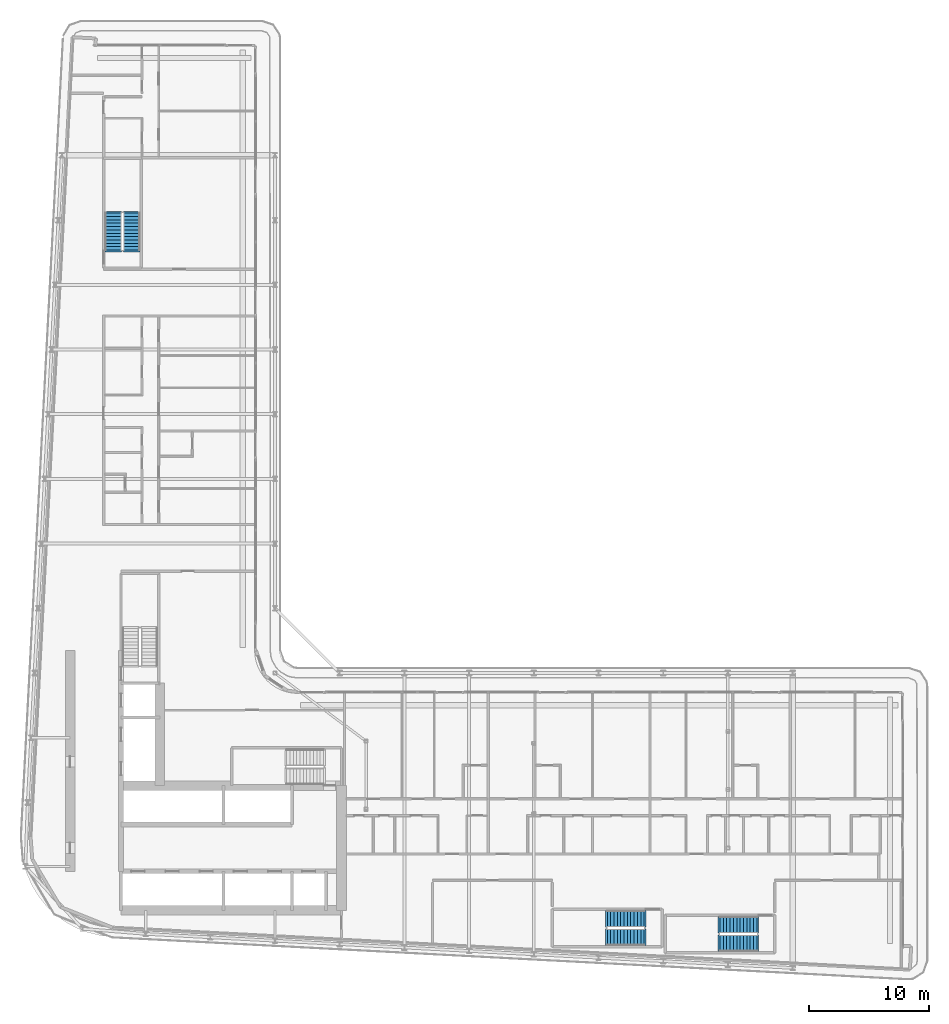
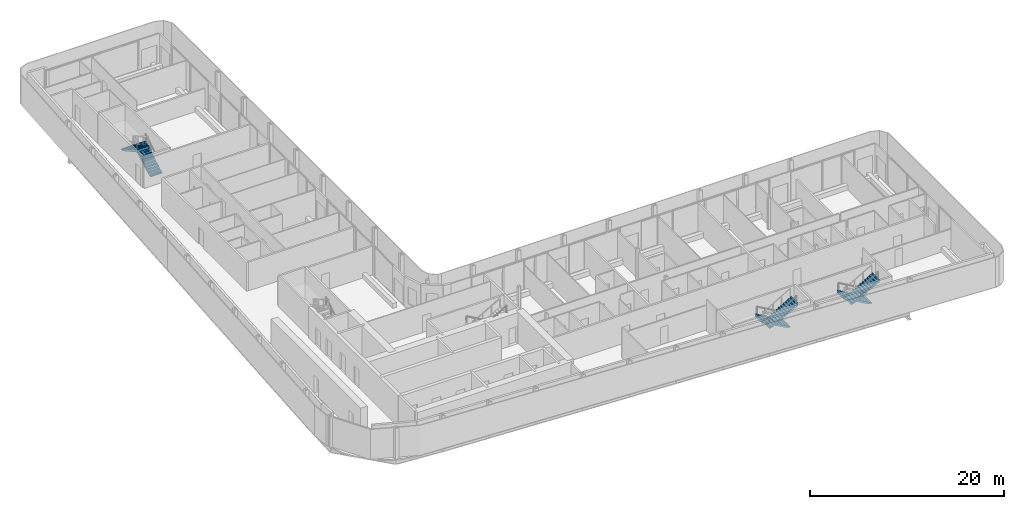
# One storey, part 21 of 28: 6 stair flights, 3 elements without a shape of their own.
"""IFC4 building model written with IfcOpenShell, lengths in metres."""

from ifc_helpers import new_model, si_unit, direction, frame, origin, place, context, subcontext, project, spatial, polyline, outline, extrude, material, layer, layer_set, type_object, element, aggregate, save


model = new_model("IFC4")

# Units and contexts
model_context = context("Model", 3, precision=1e-05, world=origin(), true_north=direction((0.0, 1.0)))
body_context = subcontext(model_context, "Body", "Model", "MODEL_VIEW")
ifc_project = project(units=[si_unit("LENGTHUNIT", "METRE"), si_unit("AREAUNIT", "SQUARE_METRE"), si_unit("VOLUMEUNIT", "CUBIC_METRE"), si_unit("PLANEANGLEUNIT", "RADIAN"), si_unit("MASSUNIT", "GRAM", prefix="KILO")], contexts=[model_context])

# Site, building, storey
site_placement = place(None, origin())
site = spatial("IfcSite", under=ifc_project, at=site_placement, CompositionType="ELEMENT")
building_placement = place(site_placement, origin())
building = spatial("IfcBuilding", under=site, at=building_placement, Name="Kheshtan School and Residences Tower", CompositionType="ELEMENT")
storey_placement = place(building_placement, frame((0.0, 0.0, 191.60009765625)))
storey = spatial("IfcBuildingStorey", under=building, at=storey_placement, Name="L45", CompositionType="ELEMENT", Elevation=191.60009765625)

# Stair, stair flights
ifc_material = material(Name="Concrete C40/50", Category="concrete")
stair_type = type_object("IfcStairType", Name="Exit stair, half-turn", PredefinedType="HALF_TURN_STAIR", material=ifc_material)
stair_1_placement = place(storey_placement, origin())
stair_1 = element("IfcStair", 1, at=stair_1_placement, inside=storey, type_object=stair_type, Name="L45 Protected Exit Stair ST3", PredefinedType="HALF_TURN_STAIR")
ifc_layer = layer(ifc_material, 0.14990234375)
ifc_layer_set = layer_set([ifc_layer], Name="Stair flight 1400 Concrete C40/50")
stair_flight_type = type_object("IfcStairFlightType", Name="Stair flight 1400 Concrete C40/50", PredefinedType="STRAIGHT", material=ifc_layer_set)
stair_flight_1_placement = place(storey_placement, frame((35.64990234375, 80.89990234375, 0.0), z_axis=(0.0, 0.0, 1.0), x_axis=(0.0, 1.0, 0.0)))
stair_flight_1 = element("IfcStairFlight", 2, at=stair_flight_1_placement, type_object=stair_flight_type, Name="ST3 flight 1", NumberOfRisers=12, NumberOfTreads=11, PredefinedType="STRAIGHT", RiserHeight=0.1625, TreadLength=0.28, context=body_context, shape_type="SweptSolid", body=[
    extrude(outline(polyline([(-0.14990234375, -0.10009765625), (-0.14990234375, 0.0), (0.0, 0.0), (0.0, 0.16259765625), (0.280029296875, 0.16259765625), (0.280029296875, 0.324951171875), (0.56005859375, 0.324951171875), (0.56005859375, 0.487548828125), (0.840087890625, 0.487548828125), (0.840087890625, 0.64990234375), (1.1201171875, 0.64990234375), (1.1201171875, 0.8125), (1.39990234375, 0.8125), (1.39990234375, 0.97509765625), (1.679931640625, 0.97509765625), (1.679931640625, 1.137451171875), (1.9599609375, 1.137451171875), (1.9599609375, 1.300048828125), (2.239990234375, 1.300048828125), (2.239990234375, 1.46240234375), (2.52001953125, 1.46240234375), (2.52001953125, 1.625), (2.800048828125, 1.625), (2.800048828125, 1.78759765625), (3.080078125, 1.78759765625), (3.080078125, 1.949951171875), (3.080078125, 1.969970703125), (3.22998046875, 1.969970703125), (3.22998046875, 1.6142578125), (0.298583984375, 0.0), (-0.14990234375, -0.10009765625)])), frame((0.0, 0.699951171875, 0.0), z_axis=(0.0, -1.0, 0.0), x_axis=(1.0, 0.0, 0.0)), (0.0, 0.0, 1.0), 1.39990234375),
])
stair_flight_2_placement = place(storey_placement, frame((34.10009765625, 83.97998046875, 1.949951171875), z_axis=(0.0, 0.0, 1.0), x_axis=(0.0, -1.0, 0.0)))
stair_flight_2 = element("IfcStairFlight", 3, at=stair_flight_2_placement, type_object=stair_flight_type, Name="ST3 flight 2", NumberOfRisers=12, NumberOfTreads=11, PredefinedType="STRAIGHT", RiserHeight=0.1625, TreadLength=0.28, context=body_context, shape_type="SweptSolid", body=[
    extrude(outline(polyline([(-0.14990234375, -0.10009765625), (-0.14990234375, 0.0), (0.0, 0.0), (0.0, 0.16259765625), (0.280029296875, 0.16259765625), (0.280029296875, 0.324951171875), (0.56005859375, 0.324951171875), (0.56005859375, 0.487548828125), (0.840087890625, 0.487548828125), (0.840087890625, 0.64990234375), (1.1201171875, 0.64990234375), (1.1201171875, 0.8125), (1.39990234375, 0.8125), (1.39990234375, 0.97509765625), (1.679931640625, 0.97509765625), (1.679931640625, 1.137451171875), (1.9599609375, 1.137451171875), (1.9599609375, 1.300048828125), (2.239990234375, 1.300048828125), (2.239990234375, 1.46240234375), (2.52001953125, 1.46240234375), (2.52001953125, 1.625), (2.800048828125, 1.625), (2.800048828125, 1.78759765625), (3.080078125, 1.78759765625), (3.080078125, 1.949951171875), (3.080078125, 1.969970703125), (3.22998046875, 1.969970703125), (3.22998046875, 1.6142578125), (0.298583984375, 0.0), (-0.14990234375, -0.10009765625)])), frame((0.0, 0.699951171875, 0.0), z_axis=(0.0, -1.0, 0.0), x_axis=(1.0, 0.0, 0.0)), (0.0, 0.0, 1.0), 1.39990234375),
])
aggregate(stair_1, [stair_flight_1, stair_flight_2])

stair_2_placement = place(storey_placement, origin())
stair_2 = element("IfcStair", 4, at=stair_2_placement, inside=storey, type_object=stair_type, Name="L45 Protected Exit Stair ST4", PredefinedType="HALF_TURN_STAIR")
stair_flight_3_placement = place(storey_placement, frame((87.820068359375, 24.60009765625, 0.0), z_axis=(0.0, 0.0, 1.0), x_axis=(-1.0, 0.0, 0.0)))
stair_flight_3 = element("IfcStairFlight", 5, at=stair_flight_3_placement, type_object=stair_flight_type, Name="ST4 flight 1", NumberOfRisers=12, NumberOfTreads=11, PredefinedType="STRAIGHT", RiserHeight=0.1625, TreadLength=0.28, context=body_context, shape_type="SweptSolid", body=[
    extrude(outline(polyline([(-0.14990234375, -0.10009765625), (-0.14990234375, 0.0), (0.0, 0.0), (0.0, 0.16259765625), (0.280029296875, 0.16259765625), (0.280029296875, 0.324951171875), (0.56005859375, 0.324951171875), (0.56005859375, 0.487548828125), (0.840087890625, 0.487548828125), (0.840087890625, 0.64990234375), (1.1201171875, 0.64990234375), (1.1201171875, 0.8125), (1.39990234375, 0.8125), (1.39990234375, 0.97509765625), (1.679931640625, 0.97509765625), (1.679931640625, 1.137451171875), (1.9599609375, 1.137451171875), (1.9599609375, 1.300048828125), (2.239990234375, 1.300048828125), (2.239990234375, 1.46240234375), (2.52001953125, 1.46240234375), (2.52001953125, 1.625), (2.800048828125, 1.625), (2.800048828125, 1.78759765625), (3.080078125, 1.78759765625), (3.080078125, 1.949951171875), (3.080078125, 1.969970703125), (3.22998046875, 1.969970703125), (3.22998046875, 1.6142578125), (0.298583984375, 0.0), (-0.14990234375, -0.10009765625)])), frame((0.0, 0.699951171875, 0.0), z_axis=(0.0, -1.0, 0.0), x_axis=(1.0, 0.0, 0.0)), (0.0, 0.0, 1.0), 1.39990234375),
])
stair_flight_4_placement = place(storey_placement, frame((84.739990234375, 23.050048828125, 1.949951171875), z_axis=(0.0, 0.0, 1.0), x_axis=(1.0, 0.0, 0.0)))
stair_flight_4 = element("IfcStairFlight", 6, at=stair_flight_4_placement, type_object=stair_flight_type, Name="ST4 flight 2", NumberOfRisers=12, NumberOfTreads=11, PredefinedType="STRAIGHT", RiserHeight=0.1625, TreadLength=0.28, context=body_context, shape_type="SweptSolid", body=[
    extrude(outline(polyline([(-0.14990234375, -0.10009765625), (-0.14990234375, 0.0), (0.0, 0.0), (0.0, 0.16259765625), (0.280029296875, 0.16259765625), (0.280029296875, 0.324951171875), (0.56005859375, 0.324951171875), (0.56005859375, 0.487548828125), (0.840087890625, 0.487548828125), (0.840087890625, 0.64990234375), (1.1201171875, 0.64990234375), (1.1201171875, 0.8125), (1.39990234375, 0.8125), (1.39990234375, 0.97509765625), (1.679931640625, 0.97509765625), (1.679931640625, 1.137451171875), (1.9599609375, 1.137451171875), (1.9599609375, 1.300048828125), (2.239990234375, 1.300048828125), (2.239990234375, 1.46240234375), (2.52001953125, 1.46240234375), (2.52001953125, 1.625), (2.800048828125, 1.625), (2.800048828125, 1.78759765625), (3.080078125, 1.78759765625), (3.080078125, 1.949951171875), (3.080078125, 1.969970703125), (3.22998046875, 1.969970703125), (3.22998046875, 1.6142578125), (0.298583984375, 0.0), (-0.14990234375, -0.10009765625)])), frame((0.0, 0.699951171875, 0.0), z_axis=(0.0, -1.0, 0.0), x_axis=(1.0, 0.0, 0.0)), (0.0, 0.0, 1.0), 1.39990234375),
])
aggregate(stair_2, [stair_flight_3, stair_flight_4])

stair_3_placement = place(storey_placement, origin())
stair_3 = element("IfcStair", 7, at=stair_3_placement, inside=storey, type_object=stair_type, Name="L45 Protected Exit Stair ST5", PredefinedType="HALF_TURN_STAIR")
stair_flight_5_placement = place(storey_placement, frame((78.409912109375, 25.10009765625, 0.0), z_axis=(0.0, 0.0, 1.0), x_axis=(-1.0, 0.0, 0.0)))
stair_flight_5 = element("IfcStairFlight", 8, at=stair_flight_5_placement, type_object=stair_flight_type, Name="ST5 flight 1", NumberOfRisers=12, NumberOfTreads=11, PredefinedType="STRAIGHT", RiserHeight=0.1625, TreadLength=0.28, context=body_context, shape_type="SweptSolid", body=[
    extrude(outline(polyline([(-0.14990234375, -0.10009765625), (-0.14990234375, 0.0), (0.0, 0.0), (0.0, 0.16259765625), (0.280029296875, 0.16259765625), (0.280029296875, 0.324951171875), (0.56005859375, 0.324951171875), (0.56005859375, 0.487548828125), (0.840087890625, 0.487548828125), (0.840087890625, 0.64990234375), (1.1201171875, 0.64990234375), (1.1201171875, 0.8125), (1.39990234375, 0.8125), (1.39990234375, 0.97509765625), (1.679931640625, 0.97509765625), (1.679931640625, 1.137451171875), (1.9599609375, 1.137451171875), (1.9599609375, 1.300048828125), (2.239990234375, 1.300048828125), (2.239990234375, 1.46240234375), (2.52001953125, 1.46240234375), (2.52001953125, 1.625), (2.800048828125, 1.625), (2.800048828125, 1.78759765625), (3.080078125, 1.78759765625), (3.080078125, 1.949951171875), (3.080078125, 1.969970703125), (3.22998046875, 1.969970703125), (3.22998046875, 1.6142578125), (0.298583984375, 0.0), (-0.14990234375, -0.10009765625)])), frame((0.0, 0.699951171875, 0.0), z_axis=(0.0, -1.0, 0.0), x_axis=(1.0, 0.0, 0.0)), (0.0, 0.0, 1.0), 1.39990234375),
])
stair_flight_6_placement = place(storey_placement, frame((75.330078125, 23.550048828125, 1.949951171875), z_axis=(0.0, 0.0, 1.0), x_axis=(1.0, 0.0, 0.0)))
stair_flight_6 = element("IfcStairFlight", 9, at=stair_flight_6_placement, type_object=stair_flight_type, Name="ST5 flight 2", NumberOfRisers=12, NumberOfTreads=11, PredefinedType="STRAIGHT", RiserHeight=0.1625, TreadLength=0.28, context=body_context, shape_type="SweptSolid", body=[
    extrude(outline(polyline([(-0.14990234375, -0.10009765625), (-0.14990234375, 0.0), (0.0, 0.0), (0.0, 0.16259765625), (0.280029296875, 0.16259765625), (0.280029296875, 0.324951171875), (0.56005859375, 0.324951171875), (0.56005859375, 0.487548828125), (0.840087890625, 0.487548828125), (0.840087890625, 0.64990234375), (1.1201171875, 0.64990234375), (1.1201171875, 0.8125), (1.39990234375, 0.8125), (1.39990234375, 0.97509765625), (1.679931640625, 0.97509765625), (1.679931640625, 1.137451171875), (1.9599609375, 1.137451171875), (1.9599609375, 1.300048828125), (2.239990234375, 1.300048828125), (2.239990234375, 1.46240234375), (2.52001953125, 1.46240234375), (2.52001953125, 1.625), (2.800048828125, 1.625), (2.800048828125, 1.78759765625), (3.080078125, 1.78759765625), (3.080078125, 1.949951171875), (3.080078125, 1.969970703125), (3.22998046875, 1.969970703125), (3.22998046875, 1.6142578125), (0.298583984375, 0.0), (-0.14990234375, -0.10009765625)])), frame((0.0, 0.699951171875, 0.0), z_axis=(0.0, -1.0, 0.0), x_axis=(1.0, 0.0, 0.0)), (0.0, 0.0, 1.0), 1.39990234375),
])
aggregate(stair_3, [stair_flight_5, stair_flight_6])

save(model, "model.ifc")
